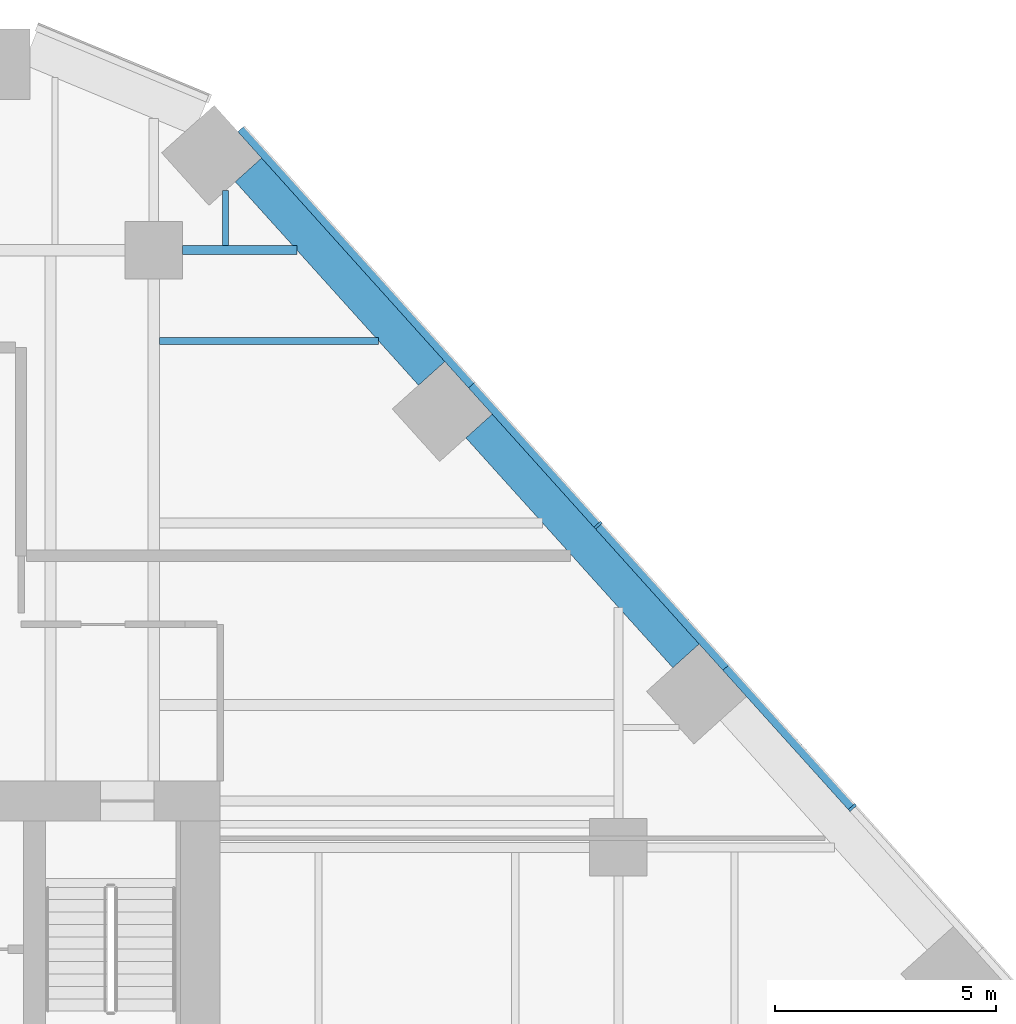
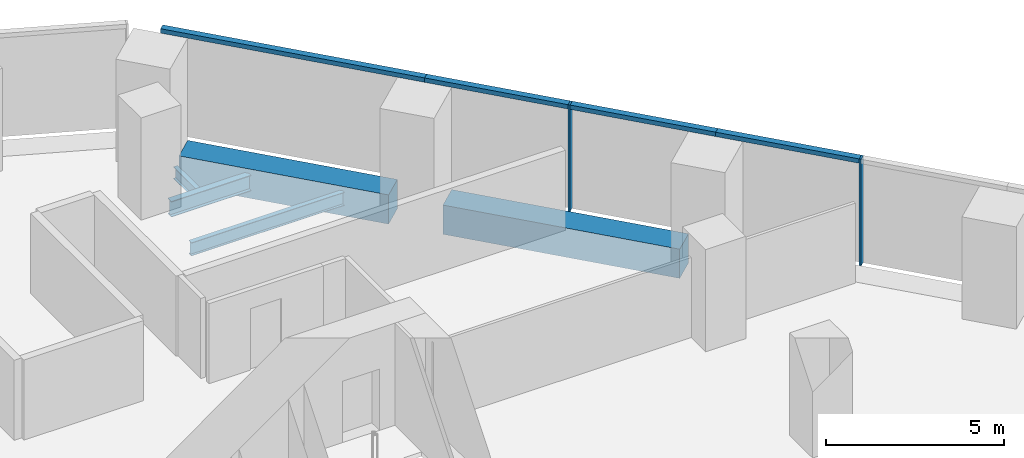
# One storey, part 10 of 21: 6 members, 5 beams, 1 element without a shape of its own.
"""IFC4 building model written with IfcOpenShell, lengths in metres."""

from ifc_helpers import new_model, si_unit, direction, frame, origin, origin_2d, place, context, subcontext, project, spatial, rectangle, i_section, extrude, material, layer, layer_set, material_profile, profile_set, type_object, element, aggregate, save


model = new_model("IFC4")

# Units and contexts
model_context = context("Model", 3, precision=1e-05, world=origin(), true_north=direction((0.0, 1.0)))
body_context = subcontext(model_context, "Body", "Model", "MODEL_VIEW")
ifc_project = project(units=[si_unit("LENGTHUNIT", "METRE"), si_unit("AREAUNIT", "SQUARE_METRE"), si_unit("VOLUMEUNIT", "CUBIC_METRE"), si_unit("PLANEANGLEUNIT", "RADIAN"), si_unit("MASSUNIT", "GRAM", prefix="KILO")], contexts=[model_context])

# Site, building, storey
site_placement = place(None, origin())
site = spatial("IfcSite", under=ifc_project, at=site_placement, CompositionType="ELEMENT")
building_placement = place(site_placement, origin())
building = spatial("IfcBuilding", under=site, at=building_placement, Name="Isthmus Gate Tower", CompositionType="ELEMENT")
storey_placement = place(building_placement, frame((0.0, 0.0, 106.199951171875)))
storey = spatial("IfcBuildingStorey", under=building, at=storey_placement, Name="L25", CompositionType="ELEMENT", Elevation=106.199951171875)

# Curtain wall, members
ifc_material_1 = material(Name="Aluminium, pale champagne anodised", Category="aluminium")
ifc_layer = layer(ifc_material_1, 0.199951171875)
ifc_layer_set = layer_set([ifc_layer], Name="CW-1 UNITISED CURTAIN WALL 200 DEEP")
curtain_wall_type = type_object("IfcCurtainWallType", Name="CW-1 UNITISED CURTAIN WALL 200 DEEP", PredefinedType="NOTDEFINED", material=ifc_layer_set)
curtain_wall_placement = place(storey_placement, origin())
curtain_wall = element("IfcCurtainWall", 1, at=curtain_wall_placement, inside=storey, type_object=curtain_wall_type, Name="CW-1 NE L25", PredefinedType="NOTDEFINED")
ifc_material_2 = material(Name="Aluminium, pale champagne anodised", Category="aluminium")
ifc_material_profile_1 = material_profile(ifc_material_2, rectangle(XDim=0.06005859375, YDim=0.199951171875, at=origin_2d()), Name="60x200")
ifc_profile_set_1 = profile_set([ifc_material_profile_1], Name="Aluminium, pale champagne anodised")
member_type_1 = type_object("IfcMemberType", Name="CW-1 MULLION 60 X 200", PredefinedType="MULLION", material=ifc_profile_set_1)
member_1_placement = place(storey_placement, frame((29.287841796875, 14.400146484375, 0.0), z_axis=(0.0, 0.0, 1.0), x_axis=(-0.669130606359, 0.743144825477, 0.0)))
member_1 = element("IfcMember", 2, at=member_1_placement, type_object=member_type_1, Name="CW-1 mullion", PredefinedType="MULLION", context=body_context, shape_type="SweptSolid", body=[
    extrude(rectangle(XDim=0.06005859375, YDim=0.199951171875, at=origin_2d()), origin(), (0.0, 0.0, 1.0), 3.650146484375),
])
member_2_placement = place(storey_placement, frame((23.54052734375, 20.783447265625, 0.0), z_axis=(0.0, 0.0, 1.0), x_axis=(-0.669130606359, 0.743144825477, 0.0)))
member_2 = element("IfcMember", 3, at=member_2_placement, type_object=member_type_1, Name="CW-1 mullion", PredefinedType="MULLION", context=body_context, shape_type="SweptSolid", body=[
    extrude(rectangle(XDim=0.06005859375, YDim=0.199951171875, at=origin_2d()), origin(), (0.0, 0.0, 1.0), 3.650146484375),
])
ifc_material_3 = material(Name="Aluminium, pale champagne anodised", Category="aluminium")
ifc_material_profile_2 = material_profile(ifc_material_3, rectangle(XDim=0.199951171875, YDim=0.14990234375, at=origin_2d()), Name="200x150")
ifc_profile_set_2 = profile_set([ifc_material_profile_2], Name="Aluminium, pale champagne anodised")
member_type_2 = type_object("IfcMemberType", Name="CW-1 TRANSOM 200 X 150", PredefinedType="USERDEFINED", material=ifc_profile_set_2)
member_3_placement = place(storey_placement, frame((29.267822265625, 14.422607421875, 3.574951171875), z_axis=(-0.669123979474, 0.743150792298, 0.0), x_axis=(-0.743150792298, -0.669123979474, 0.0)))
member_3 = element("IfcMember", 4, at=member_3_placement, type_object=member_type_2, Name="CW-1 transom", ObjectType="TRANSOM", PredefinedType="USERDEFINED", context=body_context, shape_type="SweptSolid", body=[
    extrude(rectangle(XDim=0.199951171875, YDim=0.14990234375, at=origin_2d()), origin(), (0.0, 0.0, 1.0), 4.234619140625),
])
member_4_placement = place(storey_placement, frame((26.434326171875, 17.569580078125, 3.574951171875), z_axis=(-0.669159437096, 0.743118865153, 0.0), x_axis=(-0.743118865153, -0.669159437096, 0.0)))
member_4 = element("IfcMember", 5, at=member_4_placement, type_object=member_type_2, Name="CW-1 transom", ObjectType="TRANSOM", PredefinedType="USERDEFINED", context=body_context, shape_type="SweptSolid", body=[
    extrude(rectangle(XDim=0.199951171875, YDim=0.14990234375, at=origin_2d()), origin(), (0.0, 0.0, 1.0), 4.294677734375),
])
member_5_placement = place(storey_placement, frame((23.520263671875, 20.8056640625, 3.574951171875), z_axis=(-0.669123979474, 0.743150792298, 0.0), x_axis=(-0.743150792298, -0.669123979474, 0.0)))
member_5 = element("IfcMember", 6, at=member_5_placement, type_object=member_type_2, Name="CW-1 transom", ObjectType="TRANSOM", PredefinedType="USERDEFINED", context=body_context, shape_type="SweptSolid", body=[
    extrude(rectangle(XDim=0.199951171875, YDim=0.14990234375, at=origin_2d()), origin(), (0.0, 0.0, 1.0), 4.234619140625),
])
member_6_placement = place(storey_placement, frame((20.686767578125, 23.95263671875, 3.574951171875), z_axis=(-0.669137878224, 0.743138277797, 0.0), x_axis=(-0.743138277797, -0.669137878224, 0.0)))
member_6 = element("IfcMember", 7, at=member_6_placement, type_object=member_type_2, Name="CW-1 transom", ObjectType="TRANSOM", PredefinedType="USERDEFINED", context=body_context, shape_type="SweptSolid", body=[
    extrude(rectangle(XDim=0.199951171875, YDim=0.14990234375, at=origin_2d()), origin(), (0.0, 0.0, 1.0), 7.789306640625),
])
aggregate(curtain_wall, [member_1, member_3, member_4, member_2, member_5, member_6])

# Beams
ifc_material_4 = material(Name="Concrete f'c 70 MPa", Category="concrete")
ifc_material_profile_3 = material_profile(ifc_material_4, rectangle(XDim=0.800048828125, YDim=1.0, at=origin_2d()), Name="RC 800X1000")
ifc_profile_set_3 = profile_set([ifc_material_profile_3], Name="Concrete f'c 70 MPa")
beam_type_1 = type_object("IfcBeamType", Name="RC SPANDREL 800 X 1000", PredefinedType="SPANDREL", material=ifc_profile_set_3)
beam_1_placement = place(storey_placement, frame((15.638427734375, 28.812255859375, -0.5), z_axis=(0.669139054219, -0.743137218903, 0.0), x_axis=(0.743137218903, 0.669139054219, 0.0)))
element("IfcBeam", 8, at=beam_1_placement, inside=storey, type_object=beam_type_1, Name="str-spandrel-L25-01", PredefinedType="SPANDREL", context=body_context, shape_type="SweptSolid", body=[
    extrude(rectangle(XDim=0.800048828125, YDim=1.0, at=origin_2d()), origin(), (0.0, 0.0, 1.0), 6.189453125),
])
beam_2_placement = place(storey_placement, frame((20.8505859375, 23.0234375, -0.5), z_axis=(0.669128753615, -0.743146493691, 0.0), x_axis=(0.743146493691, 0.669128753615, 0.0)))
element("IfcBeam", 9, at=beam_2_placement, inside=storey, type_object=beam_type_1, Name="str-spandrel-L25-02", PredefinedType="SPANDREL", context=body_context, shape_type="SweptSolid", body=[
    extrude(rectangle(XDim=0.800048828125, YDim=1.0, at=origin_2d()), origin(), (0.0, 0.0, 1.0), 6.9892578125),
])
ifc_material_5 = material(Name="Structural steel ASTM A992 Gr 50", Category="steel")
ifc_material_profile_4 = material_profile(ifc_material_5, i_section(OverallWidth=0.1396484375, OverallDepth=0.4033203125, WebThickness=0.00634765625, FlangeThickness=0.010986328125, at=origin_2d()), Name="W16X31")
ifc_profile_set_4 = profile_set([ifc_material_profile_4], Name="Structural steel ASTM A992 Gr 50")
beam_type_2 = type_object("IfcBeamType", Name="STEEL FLOOR BEAM W16X31", PredefinedType="JOIST", material=ifc_profile_set_4)
beam_3_placement = place(storey_placement, frame((15.12109375, 27.104736328125, -0.3515625), z_axis=(0.0, 1.0, 0.0), x_axis=(-1.0, 0.0, 0.0)))
element("IfcBeam", 10, at=beam_3_placement, inside=storey, type_object=beam_type_2, Name="str-beam-L25-25-00", PredefinedType="JOIST", context=body_context, shape_type="SweptSolid", body=[
    extrude(i_section(OverallWidth=0.1396484375, OverallDepth=0.4033203125, WebThickness=0.00634765625, FlangeThickness=0.010986328125, at=origin_2d()), origin(), (0.0, 0.0, 1.0), 1.24169921875),
])
ifc_material_6 = material(Name="Structural steel ASTM A992 Gr 50", Category="steel")
ifc_material_profile_5 = material_profile(ifc_material_6, i_section(OverallWidth=0.15234375, OverallDepth=0.45068359375, WebThickness=0.0078125, FlangeThickness=0.010986328125, at=origin_2d()), Name="W18X35")
ifc_profile_set_5 = profile_set([ifc_material_profile_5], Name="Structural steel ASTM A992 Gr 50")
beam_type_3 = type_object("IfcBeamType", Name="STEEL FLOOR BEAM W18X35", PredefinedType="JOIST", material=ifc_profile_set_5)
beam_4_placement = place(storey_placement, frame((13.626953125, 24.944091796875, -0.375244140625), z_axis=(1.0, 0.0, 0.0), x_axis=(0.0, 1.0, 0.0)))
element("IfcBeam", 11, at=beam_4_placement, inside=storey, type_object=beam_type_3, Name="str-beam-L25-26-02", PredefinedType="JOIST", context=body_context, shape_type="SweptSolid", body=[
    extrude(i_section(OverallWidth=0.15234375, OverallDepth=0.45068359375, WebThickness=0.0078125, FlangeThickness=0.010986328125, at=origin_2d()), origin(), (0.0, 0.0, 1.0), 4.9560546875),
])
ifc_material_7 = material(Name="Structural steel ASTM A992 Gr 50", Category="steel")
ifc_material_profile_6 = material_profile(ifc_material_7, i_section(OverallWidth=0.20947265625, OverallDepth=0.533447265625, WebThickness=0.009521484375, FlangeThickness=0.015869140625, at=origin_2d()), Name="W21X62")
ifc_profile_set_6 = profile_set([ifc_material_profile_6], Name="Structural steel ASTM A992 Gr 50")
beam_type_4 = type_object("IfcBeamType", Name="STEEL GIRDER W21X62", PredefinedType="BEAM", material=ifc_profile_set_6)
beam_5_placement = place(storey_placement, frame((14.14990234375, 27.0, -0.416748046875), z_axis=(1.0, 0.0, 0.0), x_axis=(0.0, 1.0, 0.0)))
element("IfcBeam", 12, at=beam_5_placement, inside=storey, type_object=beam_type_4, Name="str-girder-L25-20", PredefinedType="BEAM", context=body_context, shape_type="SweptSolid", body=[
    extrude(i_section(OverallWidth=0.20947265625, OverallDepth=0.533447265625, WebThickness=0.009521484375, FlangeThickness=0.015869140625, at=origin_2d()), origin(), (0.0, 0.0, 1.0), 2.58203125),
])

save(model, "model.ifc")
